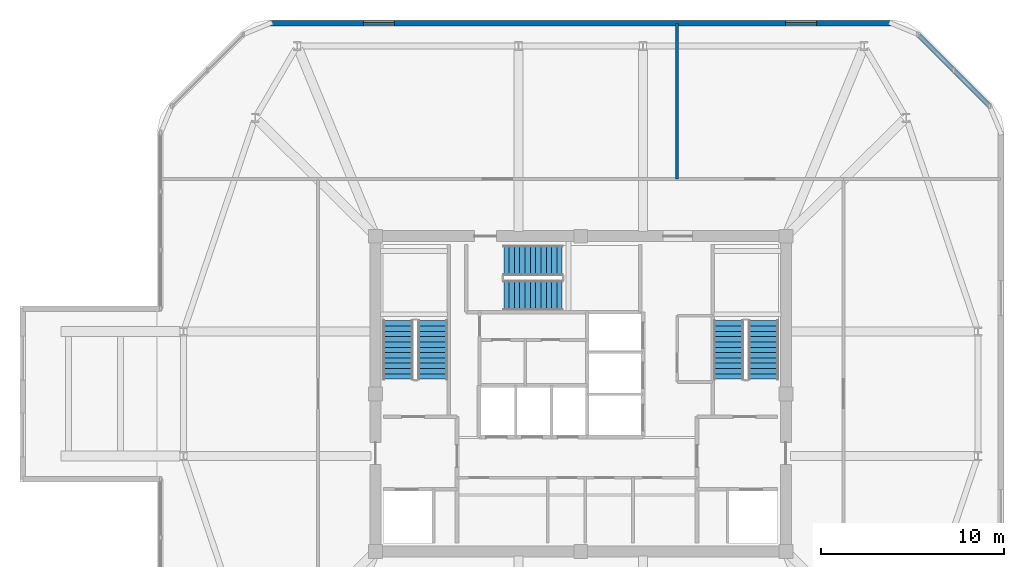
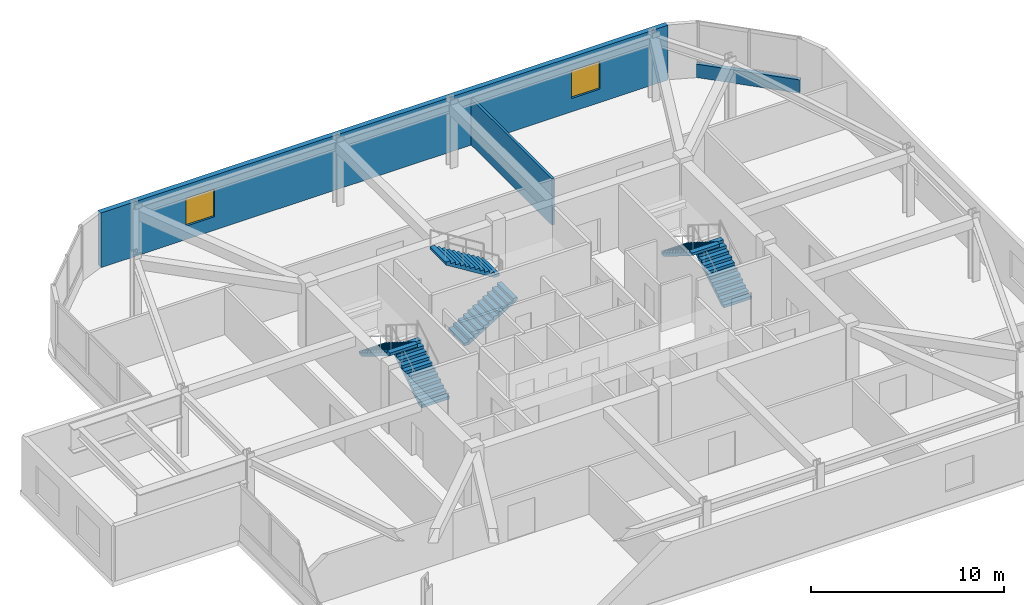
# One storey, part 8 of 9: 6 stair flights, 3 walls, 2 windows, 2 openings, 3 elements without a shape of their own.
"""IFC4 building model written with IfcOpenShell, lengths in metres."""

from ifc_helpers import new_model, si_unit, derived_unit, direction, frame, frame_2d, origin, place, context, subcontext, project, spatial, polyline, rectangle, outline, extrude, material, layer, layer_set, type_object, element, fill, aggregate, save


model = new_model("IFC4")

# Units and contexts
model_context = context("Model", 3, precision=1e-05, world=origin(), true_north=direction((0.0, 1.0)))
body_context = subcontext(model_context, "Body", "Model", "MODEL_VIEW")
ifc_project = project(units=[si_unit("LENGTHUNIT", "METRE"), si_unit("AREAUNIT", "SQUARE_METRE"), si_unit("VOLUMEUNIT", "CUBIC_METRE"), si_unit("PLANEANGLEUNIT", "RADIAN"), si_unit("MASSUNIT", "GRAM", prefix="KILO"), derived_unit("THERMALTRANSMITTANCEUNIT", [(si_unit("POWERUNIT", "WATT"), 1), (si_unit("LENGTHUNIT", "METRE"), -2), (si_unit("THERMODYNAMICTEMPERATUREUNIT", "KELVIN"), -1)])], contexts=[model_context])

# Site, building, storey
site_placement = place(None, origin())
site = spatial("IfcSite", under=ifc_project, at=site_placement, CompositionType="ELEMENT")
building_placement = place(site_placement, origin())
building = spatial("IfcBuilding", under=site, at=building_placement, Name="Koralith Skygarden Medical Center", CompositionType="ELEMENT")
storey_placement = place(building_placement, frame((0.0, 0.0, 290.340087890625)))
storey = spatial("IfcBuildingStorey", under=building, at=storey_placement, Name="L75", CompositionType="ELEMENT", Elevation=290.340087890625)

# Walls
ifc_material_1 = material(Name="Gypsum Board Partition")
ifc_layer_1 = layer(ifc_material_1, 0.14990234375)
ifc_layer_set_1 = layer_set([ifc_layer_1], Name="Gypsum Board Partition")
wall_type_1 = type_object("IfcWallType", Name="Clinical Acoustic Partition 150", PredefinedType="PARTITIONING", material=ifc_layer_set_1)
wall_1_placement = place(storey_placement, frame((42.2509765625, 37.6298828125, 0.0), z_axis=(0.0, 0.0, 1.0), x_axis=(0.0, 1.0, 0.0)))
element("IfcWall", 1, at=wall_1_placement, inside=storey, type_object=wall_type_1, Name="L75 Clinical Acoustic Partition 150 W-CRPART-L75-N-1", PredefinedType="PARTITIONING", context=body_context, shape_type="SweptSolid", body=[
    extrude(rectangle(XDim=8.47021484375, YDim=0.14990234375, at=frame_2d((4.235107421875, 0.0))), origin(), (0.0, 0.0, 1.0), 2.929931640625),
])
ifc_material_2 = material(Name="Warm Oolitic Limestone Cladding", Category="masonry")
ifc_layer_2 = layer(ifc_material_2, 0.239990234375)
ifc_layer_set_2 = layer_set([ifc_layer_2], Name="Warm Oolitic Limestone Cladding")
wall_type_2 = type_object("IfcWallType", Name="Limestone Spandrel Sill Backup Wall 240", PredefinedType="SOLIDWALL", material=ifc_layer_set_2)
wall_2_placement = place(storey_placement, frame((59.319091796875, 41.595947265625, 0.0), z_axis=(0.0, 0.0, 1.0), x_axis=(-0.707106781187, 0.707106781187, 0.0)))
element("IfcWall", 2, at=wall_2_placement, inside=storey, type_object=wall_type_2, Name="L75 Sill Spandrel NE", PredefinedType="SOLIDWALL", context=body_context, shape_type="SweptSolid", body=[
    extrude(rectangle(XDim=5.548095703125, YDim=0.239990234375, at=frame_2d((2.77392578125, 0.0))), origin(), (0.0, 0.0, 1.0), 0.849853515625),
])

# Wall, openings, windows
ifc_layer_3 = layer(ifc_material_2, 0.300048828125)
ifc_layer_set_3 = layer_set([ifc_layer_3], Name="Warm Oolitic Limestone Cladding")
wall_type_3 = type_object("IfcWallType", Name="Oolitic Limestone Insulated Facade Wall 300", PredefinedType="SOLIDWALL", material=ifc_layer_set_3)
wall_3_placement = place(storey_placement, frame((53.945068359375, 46.1201171875, 0.0), z_axis=(0.0, 0.0, 1.0), x_axis=(-1.0, 0.0, 0.0)))
wall_3 = element("IfcWall", 3, at=wall_3_placement, inside=storey, type_object=wall_type_3, Name="L75 Crown Limestone Wall N", PredefinedType="SOLIDWALL", context=body_context, shape_type="SweptSolid", body=[
    extrude(rectangle(XDim=33.89013671875, YDim=0.300048828125, at=frame_2d((16.945068359375, 0.0))), origin(), (0.0, 0.0, 1.0), 3.4599609375),
])
opening_1_placement = place(wall_3_placement, frame((4.06689453125, 0.0, 0.85009765625)))
opening_1 = element("IfcOpeningElement", 4, at=opening_1_placement, cuts=wall_3, Name="Opening W-09", PredefinedType="OPENING", context=body_context, shape_type="SweptSolid", body=[
    extrude(rectangle(XDim=1.699951171875, YDim=1.75, at=frame_2d((0.85009765625, 0.875))), frame((0.0, 0.159912109375, 0.0), z_axis=(0.0, -1.0, 0.0), x_axis=(1.0, 0.0, 0.0)), (0.0, 0.0, 1.0), 0.320068359375),
])
opening_2_placement = place(wall_3_placement, frame((27.111083984375, 0.0, 0.85009765625)))
opening_2 = element("IfcOpeningElement", 5, at=opening_2_placement, cuts=wall_3, Name="Opening W-09", PredefinedType="OPENING", context=body_context, shape_type="SweptSolid", body=[
    extrude(rectangle(XDim=1.699951171875, YDim=1.75, at=frame_2d((0.85009765625, 0.875))), frame((0.0, 0.159912109375, 0.0), z_axis=(0.0, -1.0, 0.0), x_axis=(1.0, 0.0, 0.0)), (0.0, 0.0, 1.0), 0.320068359375),
])
ifc_material_3 = material(Name="Clear Laminated Glass", Category="glass")
window_type = type_object("IfcWindowType", Name="Observation Conservatory Window W-09 1700x1750", PartitioningType="SINGLE_PANEL", PredefinedType="WINDOW", material=ifc_material_3)
window_1_placement = place(opening_1_placement, origin())
window_1 = element("IfcWindow", 6, at=window_1_placement, inside=storey, type_object=window_type, Name="L75 N Crown Window 1", OverallHeight=1.75, OverallWidth=1.699951171875, PartitioningType="SINGLE_PANEL", PredefinedType="WINDOW", context=body_context, shape_type="SweptSolid", body=[
    extrude(rectangle(XDim=1.699951171875, YDim=1.75, at=frame_2d((0.85009765625, 0.875))), frame((0.0, 0.030029296875, 0.0), z_axis=(0.0, -1.0, 0.0), x_axis=(1.0, 0.0, 0.0)), (0.0, 0.0, 1.0), 0.06005859375),
])
fill(opening_1, window_1)
window_2_placement = place(opening_2_placement, origin())
window_2 = element("IfcWindow", 7, at=window_2_placement, inside=storey, type_object=window_type, Name="L75 N Crown Window 2", OverallHeight=1.75, OverallWidth=1.699951171875, PartitioningType="SINGLE_PANEL", PredefinedType="WINDOW", context=body_context, shape_type="SweptSolid", body=[
    extrude(rectangle(XDim=1.699951171875, YDim=1.75, at=frame_2d((0.85009765625, 0.875))), frame((0.0, 0.030029296875, 0.0), z_axis=(0.0, -1.0, 0.0), x_axis=(1.0, 0.0, 0.0)), (0.0, 0.0, 1.0), 0.06005859375),
])
fill(opening_2, window_2)

# Stair, stair flights
ifc_material_4 = material(Name="Concrete C45/55", Category="concrete")
stair_type = type_object("IfcStairType", Name="Core Exit Dogleg Concrete Stair", PredefinedType="HALF_TURN_STAIR", material=ifc_material_4)
stair_1_placement = place(storey_placement, origin())
stair_1 = element("IfcStair", 8, at=stair_1_placement, inside=storey, type_object=stair_type, Name="L75 Smokeproof Exit Stair ST1", PredefinedType="HALF_TURN_STAIR")
stair_flight_type = type_object("IfcStairFlightType", Name="Core Exit Concrete Stair Flight 1650", PredefinedType="STRAIGHT", material=ifc_material_4)
stair_flight_1_placement = place(storey_placement, frame((28.925048828125, 26.699951171875, 0.0), z_axis=(0.0, 0.0, 1.0), x_axis=(0.0, 1.0, 0.0)))
stair_flight_1 = element("IfcStairFlight", 9, at=stair_flight_1_placement, type_object=stair_flight_type, Name="ST1 flight 1", NumberOfRisers=12, NumberOfTreads=11, PredefinedType="STRAIGHT", RiserHeight=0.18, TreadLength=0.29, context=body_context, shape_type="SweptSolid", body=[
    extrude(outline(polyline([(0.0, 0.0), (0.0, 0.179931640625), (0.2900390625, 0.179931640625), (0.2900390625, 0.360107421875), (0.580078125, 0.360107421875), (0.580078125, 0.5400390625), (0.8701171875, 0.5400390625), (0.8701171875, 0.719970703125), (1.159912109375, 0.719970703125), (1.159912109375, 0.89990234375), (1.449951171875, 0.89990234375), (1.449951171875, 1.080078125), (1.739990234375, 1.080078125), (1.739990234375, 1.260009765625), (2.030029296875, 1.260009765625), (2.030029296875, 1.43994140625), (2.320068359375, 1.43994140625), (2.320068359375, 1.6201171875), (2.610107421875, 1.6201171875), (2.610107421875, 1.800048828125), (2.89990234375, 1.800048828125), (2.89990234375, 1.97998046875), (3.18994140625, 1.97998046875), (3.18994140625, 2.159912109375), (3.18994140625, 1.803466796875), (0.2841796875, 0.0), (0.0, 0.0)])), frame((0.0, 0.824951171875, 0.0), z_axis=(0.0, -1.0, 0.0), x_axis=(1.0, 0.0, 0.0)), (0.0, 0.0, 1.0), 1.64990234375),
])
stair_flight_2_placement = place(storey_placement, frame((27.02490234375, 29.889892578125, 2.159912109375), z_axis=(0.0, 0.0, 1.0), x_axis=(0.0, -1.0, 0.0)))
stair_flight_2 = element("IfcStairFlight", 10, at=stair_flight_2_placement, type_object=stair_flight_type, Name="ST1 flight 2", NumberOfRisers=12, NumberOfTreads=11, PredefinedType="STRAIGHT", RiserHeight=0.18, TreadLength=0.29, context=body_context, shape_type="SweptSolid", body=[
    extrude(outline(polyline([(0.0, 0.0), (0.0, 0.179931640625), (0.2900390625, 0.179931640625), (0.2900390625, 0.360107421875), (0.580078125, 0.360107421875), (0.580078125, 0.5400390625), (0.8701171875, 0.5400390625), (0.8701171875, 0.719970703125), (1.159912109375, 0.719970703125), (1.159912109375, 0.89990234375), (1.449951171875, 0.89990234375), (1.449951171875, 1.080078125), (1.739990234375, 1.080078125), (1.739990234375, 1.260009765625), (2.030029296875, 1.260009765625), (2.030029296875, 1.43994140625), (2.320068359375, 1.43994140625), (2.320068359375, 1.6201171875), (2.610107421875, 1.6201171875), (2.610107421875, 1.800048828125), (2.89990234375, 1.800048828125), (2.89990234375, 1.97998046875), (3.18994140625, 1.97998046875), (3.18994140625, 2.159912109375), (3.18994140625, 1.803466796875), (0.2841796875, 0.0), (0.0, 0.0)])), frame((0.0, 0.824951171875, 0.0), z_axis=(0.0, -1.0, 0.0), x_axis=(1.0, 0.0, 0.0)), (0.0, 0.0, 1.0), 1.64990234375),
])
aggregate(stair_1, [stair_flight_1, stair_flight_2])

stair_2_placement = place(storey_placement, origin())
stair_2 = element("IfcStair", 11, at=stair_2_placement, inside=storey, type_object=stair_type, Name="L75 Smokeproof Exit Stair ST2", PredefinedType="HALF_TURN_STAIR")
stair_flight_3_placement = place(storey_placement, frame((46.97509765625, 26.699951171875, 0.0), z_axis=(0.0, 0.0, 1.0), x_axis=(0.0, 1.0, 0.0)))
stair_flight_3 = element("IfcStairFlight", 12, at=stair_flight_3_placement, type_object=stair_flight_type, Name="ST2 flight 1", NumberOfRisers=12, NumberOfTreads=11, PredefinedType="STRAIGHT", RiserHeight=0.18, TreadLength=0.29, context=body_context, shape_type="SweptSolid", body=[
    extrude(outline(polyline([(0.0, 0.0), (0.0, 0.179931640625), (0.2900390625, 0.179931640625), (0.2900390625, 0.360107421875), (0.580078125, 0.360107421875), (0.580078125, 0.5400390625), (0.8701171875, 0.5400390625), (0.8701171875, 0.719970703125), (1.159912109375, 0.719970703125), (1.159912109375, 0.89990234375), (1.449951171875, 0.89990234375), (1.449951171875, 1.080078125), (1.739990234375, 1.080078125), (1.739990234375, 1.260009765625), (2.030029296875, 1.260009765625), (2.030029296875, 1.43994140625), (2.320068359375, 1.43994140625), (2.320068359375, 1.6201171875), (2.610107421875, 1.6201171875), (2.610107421875, 1.800048828125), (2.89990234375, 1.800048828125), (2.89990234375, 1.97998046875), (3.18994140625, 1.97998046875), (3.18994140625, 2.159912109375), (3.18994140625, 1.803466796875), (0.2841796875, 0.0), (0.0, 0.0)])), frame((0.0, 0.824951171875, 0.0), z_axis=(0.0, -1.0, 0.0), x_axis=(1.0, 0.0, 0.0)), (0.0, 0.0, 1.0), 1.64990234375),
])
stair_flight_4_placement = place(storey_placement, frame((45.074951171875, 29.889892578125, 2.159912109375), z_axis=(0.0, 0.0, 1.0), x_axis=(0.0, -1.0, 0.0)))
stair_flight_4 = element("IfcStairFlight", 13, at=stair_flight_4_placement, type_object=stair_flight_type, Name="ST2 flight 2", NumberOfRisers=12, NumberOfTreads=11, PredefinedType="STRAIGHT", RiserHeight=0.18, TreadLength=0.29, context=body_context, shape_type="SweptSolid", body=[
    extrude(outline(polyline([(0.0, 0.0), (0.0, 0.179931640625), (0.2900390625, 0.179931640625), (0.2900390625, 0.360107421875), (0.580078125, 0.360107421875), (0.580078125, 0.5400390625), (0.8701171875, 0.5400390625), (0.8701171875, 0.719970703125), (1.159912109375, 0.719970703125), (1.159912109375, 0.89990234375), (1.449951171875, 0.89990234375), (1.449951171875, 1.080078125), (1.739990234375, 1.080078125), (1.739990234375, 1.260009765625), (2.030029296875, 1.260009765625), (2.030029296875, 1.43994140625), (2.320068359375, 1.43994140625), (2.320068359375, 1.6201171875), (2.610107421875, 1.6201171875), (2.610107421875, 1.800048828125), (2.89990234375, 1.800048828125), (2.89990234375, 1.97998046875), (3.18994140625, 1.97998046875), (3.18994140625, 2.159912109375), (3.18994140625, 1.803466796875), (0.2841796875, 0.0), (0.0, 0.0)])), frame((0.0, 0.824951171875, 0.0), z_axis=(0.0, -1.0, 0.0), x_axis=(1.0, 0.0, 0.0)), (0.0, 0.0, 1.0), 1.64990234375),
])
aggregate(stair_2, [stair_flight_3, stair_flight_4])

stair_3_placement = place(storey_placement, origin())
stair_3 = element("IfcStair", 14, at=stair_3_placement, inside=storey, type_object=stair_type, Name="L75 Smokeproof Exit Stair ST3", PredefinedType="HALF_TURN_STAIR")
stair_flight_5_placement = place(storey_placement, frame((32.800048828125, 31.27490234375, 0.0), z_axis=(0.0, 0.0, 1.0), x_axis=(1.0, 0.0, 0.0)))
stair_flight_5 = element("IfcStairFlight", 15, at=stair_flight_5_placement, type_object=stair_flight_type, Name="ST3 flight 1", NumberOfRisers=12, NumberOfTreads=11, PredefinedType="STRAIGHT", RiserHeight=0.18, TreadLength=0.29, context=body_context, shape_type="SweptSolid", body=[
    extrude(outline(polyline([(0.0, 0.0), (0.0, 0.179931640625), (0.2900390625, 0.179931640625), (0.2900390625, 0.360107421875), (0.580078125, 0.360107421875), (0.580078125, 0.5400390625), (0.8701171875, 0.5400390625), (0.8701171875, 0.719970703125), (1.159912109375, 0.719970703125), (1.159912109375, 0.89990234375), (1.449951171875, 0.89990234375), (1.449951171875, 1.080078125), (1.739990234375, 1.080078125), (1.739990234375, 1.260009765625), (2.030029296875, 1.260009765625), (2.030029296875, 1.43994140625), (2.320068359375, 1.43994140625), (2.320068359375, 1.6201171875), (2.610107421875, 1.6201171875), (2.610107421875, 1.800048828125), (2.89990234375, 1.800048828125), (2.89990234375, 1.97998046875), (3.18994140625, 1.97998046875), (3.18994140625, 2.159912109375), (3.18994140625, 1.803466796875), (0.2841796875, 0.0), (0.0, 0.0)])), frame((0.0, 0.824951171875, 0.0), z_axis=(0.0, -1.0, 0.0), x_axis=(1.0, 0.0, 0.0)), (0.0, 0.0, 1.0), 1.64990234375),
])
stair_flight_6_placement = place(storey_placement, frame((35.989990234375, 33.175048828125, 2.159912109375), z_axis=(0.0, 0.0, 1.0), x_axis=(-1.0, 0.0, 0.0)))
stair_flight_6 = element("IfcStairFlight", 16, at=stair_flight_6_placement, type_object=stair_flight_type, Name="ST3 flight 2", NumberOfRisers=12, NumberOfTreads=11, PredefinedType="STRAIGHT", RiserHeight=0.18, TreadLength=0.29, context=body_context, shape_type="SweptSolid", body=[
    extrude(outline(polyline([(0.0, 0.0), (0.0, 0.179931640625), (0.2900390625, 0.179931640625), (0.2900390625, 0.360107421875), (0.580078125, 0.360107421875), (0.580078125, 0.5400390625), (0.8701171875, 0.5400390625), (0.8701171875, 0.719970703125), (1.159912109375, 0.719970703125), (1.159912109375, 0.89990234375), (1.449951171875, 0.89990234375), (1.449951171875, 1.080078125), (1.739990234375, 1.080078125), (1.739990234375, 1.260009765625), (2.030029296875, 1.260009765625), (2.030029296875, 1.43994140625), (2.320068359375, 1.43994140625), (2.320068359375, 1.6201171875), (2.610107421875, 1.6201171875), (2.610107421875, 1.800048828125), (2.89990234375, 1.800048828125), (2.89990234375, 1.97998046875), (3.18994140625, 1.97998046875), (3.18994140625, 2.159912109375), (3.18994140625, 1.803466796875), (0.2841796875, 0.0), (0.0, 0.0)])), frame((0.0, 0.824951171875, 0.0), z_axis=(0.0, -1.0, 0.0), x_axis=(1.0, 0.0, 0.0)), (0.0, 0.0, 1.0), 1.64990234375),
])
aggregate(stair_3, [stair_flight_5, stair_flight_6])

save(model, "model.ifc")
